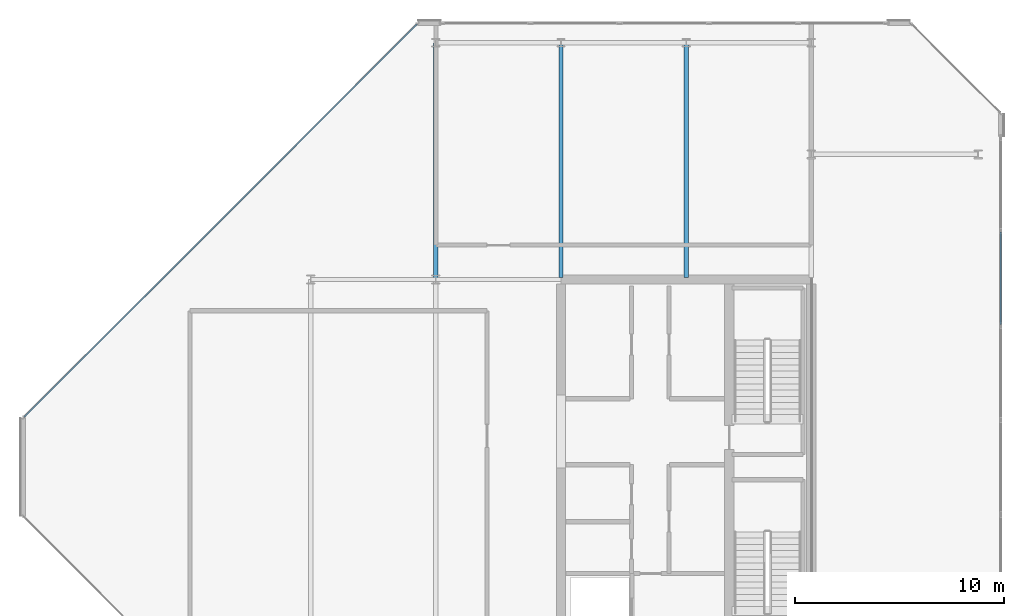
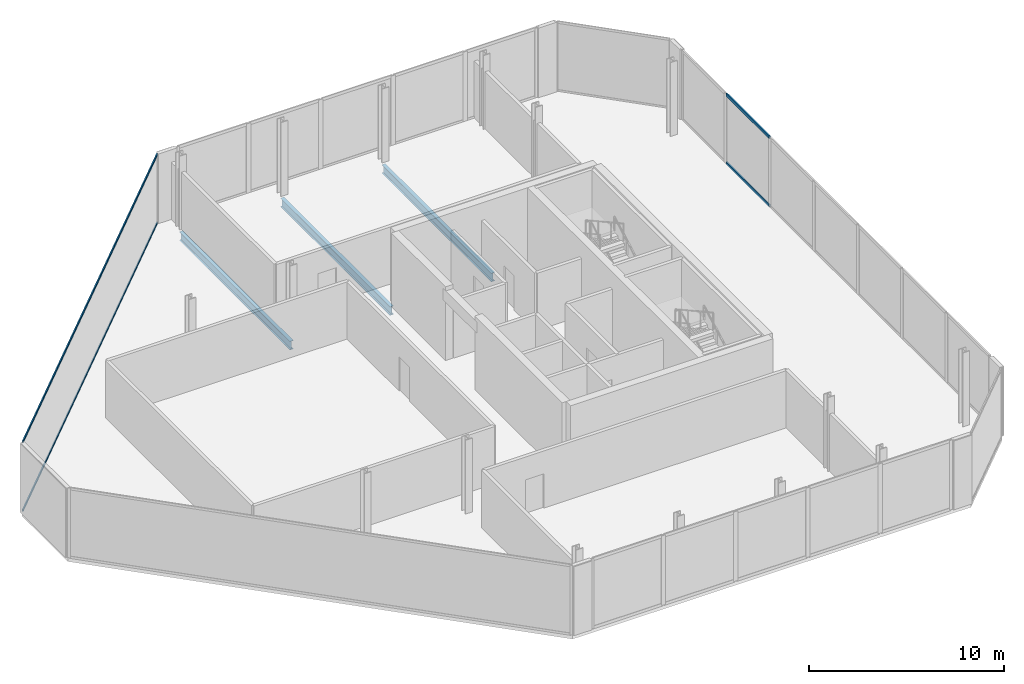
# One storey, part 9 of 16: 4 members, 3 beams, 2 elements without a shape of their own.
"""IFC4 building model written with IfcOpenShell, lengths in metres."""

from ifc_helpers import new_model, si_unit, direction, frame, origin, origin_2d, place, context, subcontext, project, spatial, hollow_rectangle, i_section, extrude, material, layer, layer_set, material_profile, profile_set, type_object, element, aggregate, save


model = new_model("IFC4")

# Units and contexts
model_context = context("Model", 3, precision=1e-05, world=origin(), true_north=direction((0.0, 1.0)))
body_context = subcontext(model_context, "Body", "Model", "MODEL_VIEW")
ifc_project = project(units=[si_unit("LENGTHUNIT", "METRE"), si_unit("AREAUNIT", "SQUARE_METRE"), si_unit("VOLUMEUNIT", "CUBIC_METRE"), si_unit("PLANEANGLEUNIT", "RADIAN"), si_unit("MASSUNIT", "GRAM", prefix="KILO")], contexts=[model_context])

# Site, building, storey
site_placement = place(None, origin())
site = spatial("IfcSite", under=ifc_project, at=site_placement, CompositionType="ELEMENT")
building_placement = place(site_placement, origin())
building = spatial("IfcBuilding", under=site, at=building_placement, Name="Tanjung Sevakor Pilgrim Tower", CompositionType="ELEMENT")
storey_placement = place(building_placement, frame((0.0, 0.0, 283.139892578125)))
storey = spatial("IfcBuildingStorey", under=building, at=storey_placement, Name="L79", CompositionType="ELEMENT", Elevation=283.139892578125)

# Beams
ifc_material_1 = material(Name="Steel S355J2", Category="steel")
ifc_material_profile_1 = material_profile(ifc_material_1, i_section(OverallWidth=0.210693359375, OverallDepth=0.53955078125, WebThickness=0.01171875, FlangeThickness=0.018798828125, FilletRadius=0.0126953125, at=origin_2d()))
ifc_profile_set_1 = profile_set([ifc_material_profile_1], Name="Steel S355J2")
beam_type = type_object("IfcBeamType", Name="BM-B-G6-UB_533x210x109", PredefinedType="BEAM", material=ifc_profile_set_1)
beam_placement = place(storey_placement, frame((72.0, 42.60009765625, -0.529541015625), z_axis=(0.0, 1.0, 0.0), x_axis=(-1.0, 0.0, 0.0)))
element("IfcBeam", 1, at=beam_placement, inside=storey, type_object=beam_type, Name="L79 EAST Girder 004", PredefinedType="BEAM", context=body_context, shape_type="SweptSolid", body=[
    extrude(i_section(OverallWidth=0.210693359375, OverallDepth=0.53955078125, WebThickness=0.01171875, FlangeThickness=0.018798828125, FilletRadius=0.0126953125, at=origin_2d()), origin(), (0.0, 0.0, 1.0), 11.349853515625),
])
for number, where, z_axis, x_axis, name in (
    (2, (78.0, 42.7060546875, -0.529541015625), (0.0, 1.0, 0.0), (-1.0, 0.0, 0.0), "L79 EAST Girder 006"),
    (3, (84.0, 42.7060546875, -0.529541015625), (0.0, 1.0, 0.0), (-1.0, 0.0, 0.0), "L79 EAST Girder 008"),
):
    element("IfcBeam", number, at=place(storey_placement, frame(where, z_axis=z_axis, x_axis=x_axis)), inside=storey, type_object=beam_type, Name=name, PredefinedType="BEAM", context=body_context, shape_type="SweptSolid", body=[
        extrude(i_section(OverallWidth=0.210693359375, OverallDepth=0.53955078125, WebThickness=0.01171875, FlangeThickness=0.018798828125, FilletRadius=0.0126953125, at=origin_2d()), origin(), (0.0, 0.0, 1.0), 11.243896484375),
    ])

# Curtain wall, members
ifc_material_2 = material(Name="Aluminium 6063-T6 and Low-E Glass", Category="aluminium")
ifc_layer_1 = layer(ifc_material_2, 0.179931640625)
ifc_layer_set_1 = layer_set([ifc_layer_1], Name="CW-SYS-CHAM")
curtain_wall_type_1 = type_object("IfcCurtainWallType", Name="CW-SYS-CHAM", PredefinedType="NOTDEFINED", material=ifc_layer_set_1)
curtain_wall_1_placement = place(storey_placement, origin())
curtain_wall_1 = element("IfcCurtainWall", 4, at=curtain_wall_1_placement, inside=storey, type_object=curtain_wall_type_1, Name="L79 Curtain Wall CW-CHM-L79-EAST-5", PredefinedType="NOTDEFINED")
ifc_material_3 = material(Name="Aluminium 6063-T6", Category="aluminium")
ifc_material_profile_2 = material_profile(ifc_material_3, hollow_rectangle(XDim=0.06494140625, YDim=0.139892578125, WallThickness=0.00390625, at=origin_2d()))
ifc_profile_set_2 = profile_set([ifc_material_profile_2], Name="Aluminium 6063-T6")
member_type_1 = type_object("IfcMemberType", Name="TYPE-CWT-1", PredefinedType="USERDEFINED", material=ifc_profile_set_2)
member_1_placement = place(storey_placement, frame((71.099609375, 54.843994140625, 0.03271484375), z_axis=(-0.707106781187, -0.707106781187, 0.0), x_axis=(0.707106781187, -0.707106781187, 0.0)))
member_1 = element("IfcMember", 5, at=member_1_placement, type_object=member_type_1, Name="CW-CHM transom 1.1", ObjectType="TRANSOM", PredefinedType="USERDEFINED", context=body_context, shape_type="SweptSolid", body=[
    extrude(hollow_rectangle(XDim=0.06494140625, YDim=0.139892578125, WallThickness=0.00390625, at=origin_2d()), origin(), (0.0, 0.0, 1.0), 26.649169921875),
])
member_2_placement = place(storey_placement, frame((71.099609375, 54.843994140625, 4.32763671875), z_axis=(-0.707106781187, -0.707106781187, 0.0), x_axis=(0.707106781187, -0.707106781187, 0.0)))
member_2 = element("IfcMember", 6, at=member_2_placement, type_object=member_type_1, Name="CW-CHM transom 1.2", ObjectType="TRANSOM", PredefinedType="USERDEFINED", context=body_context, shape_type="SweptSolid", body=[
    extrude(hollow_rectangle(XDim=0.06494140625, YDim=0.139892578125, WallThickness=0.00390625, at=origin_2d()), origin(), (0.0, 0.0, 1.0), 26.649169921875),
])
aggregate(curtain_wall_1, [member_1, member_2])

ifc_material_4 = material(Name="Aluminium 6063-T6 and Low-E Glass", Category="aluminium")
ifc_layer_2 = layer(ifc_material_4, 0.219970703125)
ifc_layer_set_2 = layer_set([ifc_layer_2], Name="CW-SYS-CRNE")
curtain_wall_type_2 = type_object("IfcCurtainWallType", Name="CW-SYS-CRNE", PredefinedType="NOTDEFINED", material=ifc_layer_set_2)
curtain_wall_2_placement = place(storey_placement, origin())
curtain_wall_2 = element("IfcCurtainWall", 7, at=curtain_wall_2_placement, inside=storey, type_object=curtain_wall_type_2, Name="L79 Curtain Wall CW-CRN-L79-EAST-2-1", PredefinedType="NOTDEFINED")
ifc_material_5 = material(Name="Aluminium 6063-T6", Category="aluminium")
ifc_material_profile_3 = material_profile(ifc_material_5, hollow_rectangle(XDim=0.080078125, YDim=0.179931640625, WallThickness=0.0048828125, at=origin_2d()))
ifc_profile_set_3 = profile_set([ifc_material_profile_3], Name="Aluminium 6063-T6")
member_type_2 = type_object("IfcMemberType", Name="TYPE-CWT-3", PredefinedType="USERDEFINED", material=ifc_profile_set_3)
member_3_placement = place(storey_placement, frame((99.090087890625, 40.434814453125, 0.0400390625), z_axis=(0.0, 1.0, 0.0), x_axis=(-1.0, 0.0, 0.0)))
member_3 = element("IfcMember", 8, at=member_3_placement, type_object=member_type_2, Name="CW-CRE transom 6.1", ObjectType="TRANSOM", PredefinedType="USERDEFINED", context=body_context, shape_type="SweptSolid", body=[
    extrude(hollow_rectangle(XDim=0.080078125, YDim=0.179931640625, WallThickness=0.0048828125, at=origin_2d()), origin(), (0.0, 0.0, 1.0), 4.44970703125),
])
member_4_placement = place(storey_placement, frame((99.090087890625, 40.434814453125, 4.320068359375), z_axis=(0.0, 1.0, 0.0), x_axis=(-1.0, 0.0, 0.0)))
member_4 = element("IfcMember", 9, at=member_4_placement, type_object=member_type_2, Name="CW-CRE transom 6.2", ObjectType="TRANSOM", PredefinedType="USERDEFINED", context=body_context, shape_type="SweptSolid", body=[
    extrude(hollow_rectangle(XDim=0.080078125, YDim=0.179931640625, WallThickness=0.0048828125, at=origin_2d()), origin(), (0.0, 0.0, 1.0), 4.44970703125),
])
aggregate(curtain_wall_2, [member_3, member_4])

save(model, "model.ifc")
